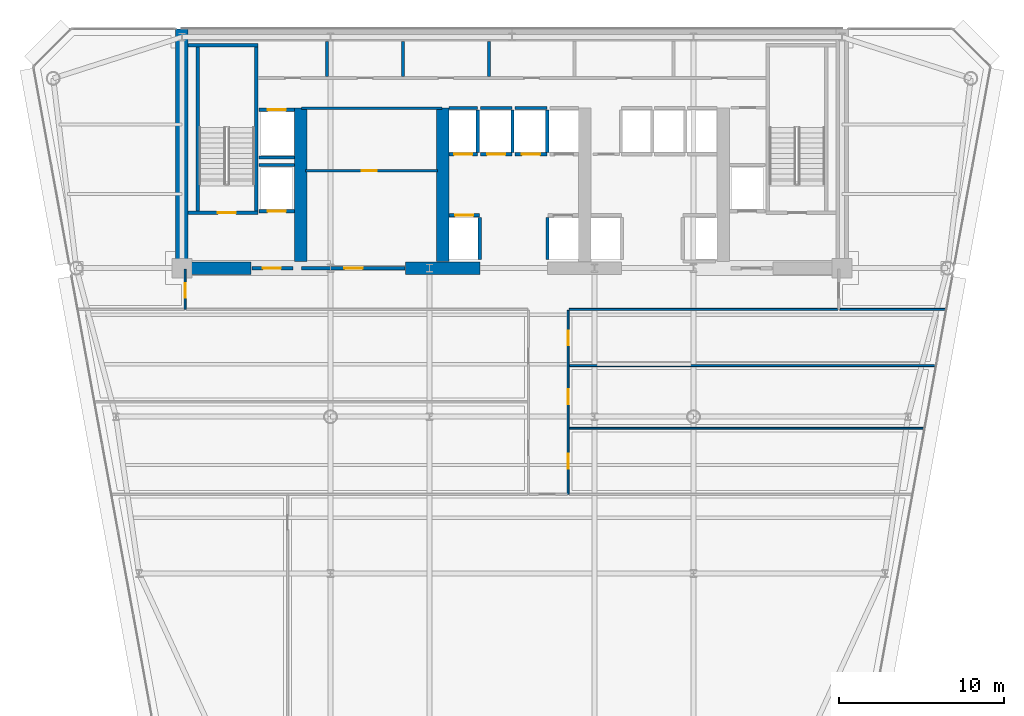
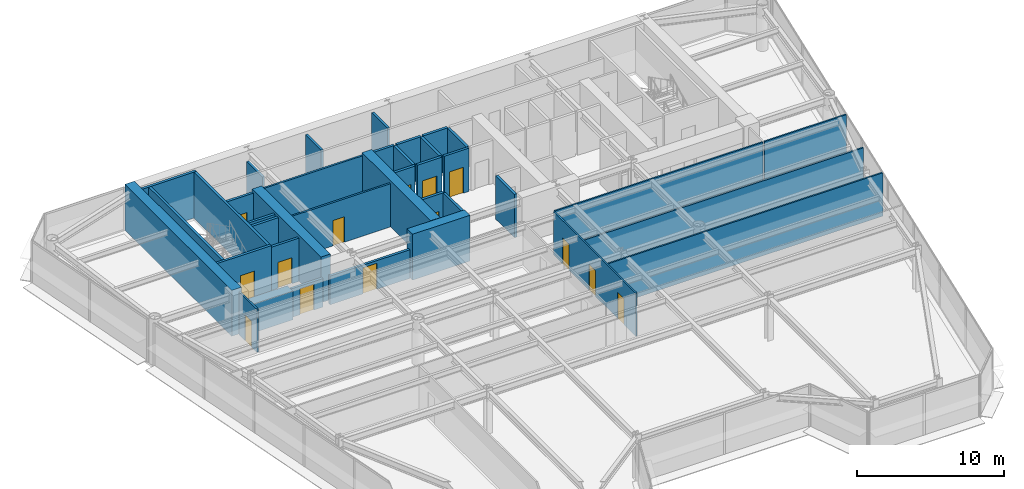
# One storey, part 11 of 17: 38 walls, 14 doors, 14 openings.
"""IFC4 building model written with IfcOpenShell, lengths in metres."""

from ifc_helpers import new_model, si_unit, direction, frame, frame_2d, origin, place, context, subcontext, project, spatial, rectangle, extrude, source, transform, mapped, material, layer, layer_set, type_object, element, fill, save


model = new_model("IFC4")

# Units and contexts
model_context = context("Model", 3, precision=1e-05, world=origin(), true_north=direction((0.0, 1.0)))
body_context = subcontext(model_context, "Body", "Model", "MODEL_VIEW")
ifc_project = project(units=[si_unit("LENGTHUNIT", "METRE"), si_unit("AREAUNIT", "SQUARE_METRE"), si_unit("VOLUMEUNIT", "CUBIC_METRE"), si_unit("PLANEANGLEUNIT", "RADIAN"), si_unit("MASSUNIT", "GRAM", prefix="KILO")], contexts=[model_context])

# Site, building, storey
site_placement = place(None, origin())
site = spatial("IfcSite", under=ifc_project, at=site_placement, CompositionType="ELEMENT")
building_placement = place(site_placement, origin())
building = spatial("IfcBuilding", under=site, at=building_placement, Name="Vaeldorn Concourse Tower", CompositionType="ELEMENT")
storey_placement = place(building_placement, frame((0.0, 0.0, 157.60009765625)))
storey = spatial("IfcBuildingStorey", under=building, at=storey_placement, Name="L40", CompositionType="ELEMENT", Elevation=157.60009765625)

# Walls
ifc_material_1 = material(Name="Concrete C60/75", Category="concrete")
ifc_layer_1 = layer(ifc_material_1, 0.75)
ifc_layer_set_1 = layer_set([ifc_layer_1], Name="Concrete C60/75")
wall_type_1 = type_object("IfcWallType", Name="WL-CORE-750", PredefinedType="SHEAR", material=ifc_layer_set_1)
wall_1_placement = place(storey_placement, frame((14.0, 36.5, 0.0), z_axis=(0.0, 0.0, 1.0), x_axis=(0.0, 1.0, 0.0)))
element("IfcWall", 1, at=wall_1_placement, inside=storey, type_object=wall_type_1, Name="Rear Core Shear Wall L40 W1", PredefinedType="SHEAR", context=body_context, shape_type="SweptSolid", body=[
    extrude(rectangle(XDim=14.5, YDim=0.75, at=frame_2d((7.25, 0.0))), origin(), (0.0, 0.0, 1.0), 3.7998046875),
])
wall_2_placement = place(storey_placement, frame((14.39501953125, 36.5, 0.0), z_axis=(0.0, 0.0, 1.0), x_axis=(1.0, 0.0, 0.0)))
element("IfcWall", 2, at=wall_2_placement, inside=storey, type_object=wall_type_1, Name="Rear Core Shear Wall L40 S1", PredefinedType="SHEAR", context=body_context, shape_type="SweptSolid", body=[
    extrude(rectangle(XDim=3.804931640625, YDim=0.75, at=frame_2d((1.90234375, 0.0))), origin(), (0.0, 0.0, 1.0), 2.3798828125),
])
wall_3_placement = place(storey_placement, frame((27.550048828125, 36.5, 0.0), z_axis=(0.0, 0.0, 1.0), x_axis=(1.0, 0.0, 0.0)))
element("IfcWall", 3, at=wall_3_placement, inside=storey, type_object=wall_type_1, Name="Rear Core Shear Wall L40 S2", PredefinedType="SHEAR", context=body_context, shape_type="SweptSolid", body=[
    extrude(rectangle(XDim=4.5, YDim=0.75, at=frame_2d((2.25, 0.0))), origin(), (0.0, 0.0, 1.0), 3.7998046875),
])
for number, where, z_axis, x_axis, name in (
    (4, (21.199951171875, 36.89501953125, 0.0), (0.0, 0.0, 1.0), (0.0, 1.0, 0.0), "Rear Core Shear Wall L40 M1"),
    (5, (29.800048828125, 36.89501953125, 0.0), (0.0, 0.0, 1.0), (0.0, 1.0, 0.0), "Rear Core Shear Wall L40 M2"),
):
    element("IfcWall", number, at=place(storey_placement, frame(where, z_axis=z_axis, x_axis=x_axis)), inside=storey, type_object=wall_type_1, Name=name, PredefinedType="SHEAR", context=body_context, shape_type="SweptSolid", body=[
        extrude(rectangle(XDim=9.304931640625, YDim=0.75, at=frame_2d((4.65234375, 0.0))), origin(), (0.0, 0.0, 1.0), 3.7998046875),
    ])
ifc_material_2 = material(Name="Gypsum Board Partition", Category="gypsum")
ifc_layer_2 = layer(ifc_material_2, 0.1201171875)
ifc_layer_set_2 = layer_set([ifc_layer_2], Name="Gypsum Board Partition")
wall_type_2 = type_object("IfcWallType", Name="WL-PART-120", PredefinedType="PARTITIONING", material=ifc_layer_set_2)
wall_4_placement = place(storey_placement, frame((37.4599609375, 34.0, 0.0), z_axis=(0.0, 0.0, 1.0), x_axis=(1.0, 0.0, 0.0)))
element("IfcWall", 6, at=wall_4_placement, inside=storey, type_object=wall_type_2, Name="Interior Wall PW-L40-C3SE", PredefinedType="PARTITIONING", context=body_context, shape_type="SweptSolid", body=[
    extrude(rectangle(XDim=16.280029296875, YDim=0.1201171875, at=frame_2d((8.14013671875, 0.0))), origin(), (0.0, 0.0, 1.0), 3.579833984375),
])

# Wall, opening, door
wall_5_placement = place(storey_placement, frame((14.199951171875, 34.0, 0.0), z_axis=(0.0, 0.0, 1.0), x_axis=(0.0, 1.0, 0.0)))
wall_5 = element("IfcWall", 7, at=wall_5_placement, inside=storey, type_object=wall_type_2, Name="Interior Wall PW-L40-C3W", PredefinedType="PARTITIONING", context=body_context, shape_type="SweptSolid", body=[
    extrude(rectangle(XDim=2.43994140625, YDim=0.1201171875, at=frame_2d((1.219970703125, 0.0))), origin(), (0.0, 0.0, 1.0), 3.579833984375),
])
opening_1_placement = place(wall_5_placement, frame((0.699951171875, 0.0, 0.0)))
opening_1 = element("IfcOpeningElement", 8, at=opening_1_placement, cuts=wall_5, Name="Opening D-03", PredefinedType="OPENING", context=body_context, shape_type="SweptSolid", body=[
    extrude(rectangle(XDim=0.89990234375, YDim=2.14990234375, at=frame_2d((0.449951171875, 1.074951171875))), frame((0.0, 0.070068359375, 0.0), z_axis=(0.0, -1.0, 0.0), x_axis=(1.0, 0.0, 0.0)), (0.0, 0.0, 1.0), 0.14013671875),
])
ifc_material_3 = material(Name="Acoustic Bronze-Framed Glass Door", Category="glass")
door_type_1 = type_object("IfcDoorType", Name="DR-INT-900", OperationType="NOTDEFINED", PredefinedType="DOOR", material=ifc_material_3)
shared_shape_1 = source(origin(), body_context, "Body", "SweptSolid", [
    extrude(rectangle(XDim=0.89990234375, YDim=2.14990234375, at=frame_2d((0.449951171875, 1.074951171875))), frame((0.0, 0.02490234375, 0.0), z_axis=(0.0, -1.0, 0.0), x_axis=(1.0, 0.0, 0.0)), (0.0, 0.0, 1.0), 0.050048828125),
])
door_1_placement = place(opening_1_placement, origin())
door_1 = element("IfcDoor", 9, at=door_1_placement, inside=storey, type_object=door_type_1, Name="Interior Door DR-L40-Z3NW", OperationType="SINGLE_SWING_LEFT", OverallHeight=2.14990234375, OverallWidth=0.89990234375, PredefinedType="DOOR", context=body_context, shape_type="MappedRepresentation", body=[
    mapped(shared_shape_1, transform((0.0, 0.0, 0.0), scale=1.0)),
])
fill(opening_1, door_1)

# Wall, openings, doors
wall_6_placement = place(storey_placement, frame((37.39990234375, 22.800048828125, 0.0), z_axis=(0.0, 0.0, 1.0), x_axis=(0.0, 1.0, 0.0)))
wall_6 = element("IfcWall", 10, at=wall_6_placement, inside=storey, type_object=wall_type_2, Name="Interior Wall PW-L40-CSPE", PredefinedType="PARTITIONING", context=body_context, shape_type="SweptSolid", body=[
    extrude(rectangle(XDim=11.139892578125, YDim=0.1201171875, at=frame_2d((5.56982421875, 0.0))), origin(), (0.0, 0.0, 1.0), 3.579833984375),
])
opening_2_placement = place(wall_6_placement, frame((1.550048828125, 0.0, 0.0)))
opening_2 = element("IfcOpeningElement", 11, at=opening_2_placement, cuts=wall_6, Name="Opening D-03", PredefinedType="OPENING", context=body_context, shape_type="SweptSolid", body=[
    extrude(rectangle(XDim=0.89990234375, YDim=2.14990234375, at=frame_2d((0.449951171875, 1.074951171875))), frame((0.0, 0.070068359375, 0.0), z_axis=(0.0, -1.0, 0.0), x_axis=(1.0, 0.0, 0.0)), (0.0, 0.0, 1.0), 0.14013671875),
])
opening_3_placement = place(wall_6_placement, frame((5.449951171875, 0.0, 0.0)))
opening_3 = element("IfcOpeningElement", 12, at=opening_3_placement, cuts=wall_6, Name="Opening D-03", PredefinedType="OPENING", context=body_context, shape_type="SweptSolid", body=[
    extrude(rectangle(XDim=0.89990234375, YDim=2.14990234375, at=frame_2d((0.449951171875, 1.074951171875))), frame((0.0, 0.070068359375, 0.0), z_axis=(0.0, -1.0, 0.0), x_axis=(1.0, 0.0, 0.0)), (0.0, 0.0, 1.0), 0.14013671875),
])
opening_4_placement = place(wall_6_placement, frame((9.02001953125, 0.0, 0.0)))
opening_4 = element("IfcOpeningElement", 13, at=opening_4_placement, cuts=wall_6, Name="Opening D-03", PredefinedType="OPENING", context=body_context, shape_type="SweptSolid", body=[
    extrude(rectangle(XDim=0.89990234375, YDim=2.14990234375, at=frame_2d((0.449951171875, 1.074951171875))), frame((0.0, 0.070068359375, 0.0), z_axis=(0.0, -1.0, 0.0), x_axis=(1.0, 0.0, 0.0)), (0.0, 0.0, 1.0), 0.14013671875),
])
door_2_placement = place(opening_2_placement, origin())
door_2 = element("IfcDoor", 14, at=door_2_placement, inside=storey, type_object=door_type_1, Name="Interior Door DR-L40-Z3E1", OperationType="SINGLE_SWING_RIGHT", OverallHeight=2.14990234375, OverallWidth=0.89990234375, PredefinedType="DOOR", context=body_context, shape_type="MappedRepresentation", body=[
    mapped(shared_shape_1, transform((0.0, 0.0, 0.0), scale=1.0)),
])
fill(opening_2, door_2)
door_3_placement = place(opening_3_placement, origin())
door_3 = element("IfcDoor", 15, at=door_3_placement, inside=storey, type_object=door_type_1, Name="Interior Door DR-L40-Z3E2", OperationType="SINGLE_SWING_LEFT", OverallHeight=2.14990234375, OverallWidth=0.89990234375, PredefinedType="DOOR", context=body_context, shape_type="MappedRepresentation", body=[
    mapped(shared_shape_1, transform((0.0, 0.0, 0.0), scale=1.0)),
])
fill(opening_3, door_3)
door_4_placement = place(opening_4_placement, origin())
door_4 = element("IfcDoor", 16, at=door_4_placement, inside=storey, type_object=door_type_1, Name="Interior Door DR-L40-Z3E3", OperationType="SINGLE_SWING_RIGHT", OverallHeight=2.14990234375, OverallWidth=0.89990234375, PredefinedType="DOOR", context=body_context, shape_type="MappedRepresentation", body=[
    mapped(shared_shape_1, transform((0.0, 0.0, 0.0), scale=1.0)),
])
fill(opening_4, door_4)

# Walls
wall_7_placement = place(storey_placement, frame((53.860107421875, 34.0, 0.0), z_axis=(0.0, 0.0, 1.0), x_axis=(1.0, 0.0, 0.0)))
element("IfcWall", 17, at=wall_7_placement, inside=storey, type_object=wall_type_2, Name="Interior Wall PW-L40-Z3NEB", PredefinedType="PARTITIONING", context=body_context, shape_type="SweptSolid", body=[
    extrude(rectangle(XDim=6.41845703125, YDim=0.1201171875, at=frame_2d((3.209228515625, 0.0))), origin(), (0.0, 0.0, 1.0), 3.579833984375),
])
wall_8_placement = place(storey_placement, frame((37.4599609375, 26.800048828125, 0.0), z_axis=(0.0, 0.0, 1.0), x_axis=(1.0, 0.0, 0.0)))
element("IfcWall", 18, at=wall_8_placement, inside=storey, type_object=wall_type_2, Name="Interior Wall PW-L40-Z3EY1", PredefinedType="PARTITIONING", context=body_context, shape_type="SweptSolid", body=[
    extrude(rectangle(XDim=21.50537109375, YDim=0.1201171875, at=frame_2d((10.752685546875, 0.0))), origin(), (0.0, 0.0, 1.0), 3.579833984375),
])
wall_9_placement = place(storey_placement, frame((37.4599609375, 30.60009765625, 0.0), z_axis=(0.0, 0.0, 1.0), x_axis=(1.0, 0.0, 0.0)))
element("IfcWall", 19, at=wall_9_placement, inside=storey, type_object=wall_type_2, Name="Interior Wall PW-L40-Z3EY2", PredefinedType="PARTITIONING", context=body_context, shape_type="SweptSolid", body=[
    extrude(rectangle(XDim=22.198486328125, YDim=0.1201171875, at=frame_2d((11.09912109375, 0.0))), origin(), (0.0, 0.0, 1.0), 3.119873046875),
])
ifc_layer_3 = layer(ifc_material_2, 0.14990234375)
ifc_layer_set_3 = layer_set([ifc_layer_3], Name="Gypsum Board Partition")
wall_type_3 = type_object("IfcWallType", Name="WL-PART-150", PredefinedType="PARTITIONING", material=ifc_layer_set_3)
wall_10_placement = place(storey_placement, frame((21.25, 46.199951171875, 0.0), z_axis=(0.0, 0.0, 1.0), x_axis=(1.0, 0.0, 0.0)))
element("IfcWall", 20, at=wall_10_placement, inside=storey, type_object=wall_type_3, Name="Interior Wall CW-L40-R1N", PredefinedType="PARTITIONING", context=body_context, shape_type="SweptSolid", body=[
    extrude(rectangle(XDim=8.5, YDim=0.14990234375, at=frame_2d((4.25, 0.0))), origin(), (0.0, 0.0, 1.0), 3.579833984375),
])

# Wall, opening, door
wall_11_placement = place(storey_placement, frame((21.5, 42.39990234375, 0.0), z_axis=(0.0, 0.0, 1.0), x_axis=(1.0, 0.0, 0.0)))
wall_11 = element("IfcWall", 21, at=wall_11_placement, inside=storey, type_object=wall_type_3, Name="Interior Wall CW-L40-R1M", PredefinedType="PARTITIONING", context=body_context, shape_type="SweptSolid", body=[
    extrude(rectangle(XDim=8.0, YDim=0.14990234375, at=frame_2d((4.0, 0.0))), origin(), (0.0, 0.0, 1.0), 3.579833984375),
])
opening_5_placement = place(wall_11_placement, frame((3.39990234375, 0.0, 0.0)))
opening_5 = element("IfcOpeningElement", 22, at=opening_5_placement, cuts=wall_11, Name="Opening D-02", PredefinedType="OPENING", context=body_context, shape_type="SweptSolid", body=[
    extrude(rectangle(XDim=0.89990234375, YDim=2.10009765625, at=frame_2d((0.449951171875, 1.050048828125))), frame((0.0, 0.0849609375, 0.0), z_axis=(0.0, -1.0, 0.0), x_axis=(1.0, 0.0, 0.0)), (0.0, 0.0, 1.0), 0.169921875),
])
ifc_material_4 = material(Name="Fire-Rated Timber Leaf", Category="wood")
door_type_2 = type_object("IfcDoorType", Name="DR-FD30-900", OperationType="NOTDEFINED", PredefinedType="DOOR", material=ifc_material_4)
shared_shape_2 = source(origin(), body_context, "Body", "SweptSolid", [
    extrude(rectangle(XDim=0.89990234375, YDim=2.10009765625, at=frame_2d((0.449951171875, 1.050048828125))), frame((0.0, 0.02490234375, 0.0), z_axis=(0.0, -1.0, 0.0), x_axis=(1.0, 0.0, 0.0)), (0.0, 0.0, 1.0), 0.050048828125),
])
door_5_placement = place(opening_5_placement, origin())
door_5 = element("IfcDoor", 23, at=door_5_placement, inside=storey, type_object=door_type_2, Name="Interior Door DR-L40-R1M", OperationType="SINGLE_SWING_RIGHT", OverallHeight=2.10009765625, OverallWidth=0.89990234375, PredefinedType="DOOR", context=body_context, shape_type="MappedRepresentation", body=[
    mapped(shared_shape_2, transform((0.0, 0.0, 0.0), scale=1.0)),
])
fill(opening_5, door_5)

# Walls
ifc_layer_4 = layer(ifc_material_2, 0.179931640625)
ifc_layer_set_4 = layer_set([ifc_layer_4], Name="Gypsum Board Partition")
wall_type_4 = type_object("IfcWallType", Name="WL-PLUMB-180", PredefinedType="PLUMBINGWALL", material=ifc_layer_set_4)
wall_12_placement = place(storey_placement, frame((22.800048828125, 48.10009765625, 0.0), z_axis=(0.0, 0.0, 1.0), x_axis=(0.0, 1.0, 0.0)))
element("IfcWall", 24, at=wall_12_placement, inside=storey, type_object=wall_type_4, Name="Interior Wall CW-L40-NDIV1", PredefinedType="PLUMBINGWALL", context=body_context, shape_type="SweptSolid", body=[
    extrude(rectangle(XDim=2.1298828125, YDim=0.179931640625, at=frame_2d((1.06494140625, 0.0))), origin(), (0.0, 0.0, 1.0), 2.969970703125),
])
for number, where, z_axis, x_axis, name in (
    (25, (27.39990234375, 48.10009765625, 0.0), (0.0, 0.0, 1.0), (0.0, 1.0, 0.0), "Interior Wall CW-L40-NDIV2"),
    (26, (32.60009765625, 48.10009765625, 0.0), (0.0, 0.0, 1.0), (0.0, 1.0, 0.0), "Interior Wall CW-L40-NDIV3"),
):
    element("IfcWall", number, at=place(storey_placement, frame(where, z_axis=z_axis, x_axis=x_axis)), inside=storey, type_object=wall_type_4, Name=name, PredefinedType="PLUMBINGWALL", context=body_context, shape_type="SweptSolid", body=[
        extrude(rectangle(XDim=2.1298828125, YDim=0.179931640625, at=frame_2d((1.06494140625, 0.0))), origin(), (0.0, 0.0, 1.0), 3.579833984375),
    ])

# Wall, opening, door
ifc_material_5 = material(Name="Concrete C50/60", Category="concrete")
ifc_layer_5 = layer(ifc_material_5, 0.199951171875)
ifc_layer_set_5 = layer_set([ifc_layer_5], Name="Concrete C50/60")
wall_type_5 = type_object("IfcWallType", Name="WL-SHAFT-200", PredefinedType="SOLIDWALL", material=ifc_layer_set_5)
wall_13_placement = place(storey_placement, frame((14.375, 39.85009765625, 0.0), z_axis=(0.0, 0.0, 1.0), x_axis=(1.0, 0.0, 0.0)))
wall_13 = element("IfcWall", 27, at=wall_13_placement, inside=storey, type_object=wall_type_5, Name="Stair Shaft Wall CW-L40-ST-1-S", PredefinedType="SOLIDWALL", context=body_context, shape_type="SweptSolid", body=[
    extrude(rectangle(XDim=4.22509765625, YDim=0.199951171875, at=frame_2d((2.112548828125, 0.0))), origin(), (0.0, 0.0, 1.0), 3.7998046875),
])
opening_6_placement = place(wall_13_placement, frame((1.800048828125, 0.0, 0.0)))
opening_6 = element("IfcOpeningElement", 28, at=opening_6_placement, cuts=wall_13, Name="Opening D-01", PredefinedType="OPENING", context=body_context, shape_type="SweptSolid", body=[
    extrude(rectangle(XDim=1.10009765625, YDim=2.14990234375, at=frame_2d((0.550048828125, 1.074951171875))), frame((0.0, 0.10986328125, 0.0), z_axis=(0.0, -1.0, 0.0), x_axis=(1.0, 0.0, 0.0)), (0.0, 0.0, 1.0), 0.219970703125),
])
ifc_material_6 = material(Name="Fire-Rated Timber and Steel Leaf", Category="steel")
door_type_3 = type_object("IfcDoorType", Name="DR-FD60-1100", OperationType="NOTDEFINED", PredefinedType="DOOR", material=ifc_material_6)
shared_shape_3 = source(origin(), body_context, "Body", "SweptSolid", [
    extrude(rectangle(XDim=1.10009765625, YDim=2.14990234375, at=frame_2d((0.550048828125, 1.074951171875))), frame((0.0, 0.02490234375, 0.0), z_axis=(0.0, -1.0, 0.0), x_axis=(1.0, 0.0, 0.0)), (0.0, 0.0, 1.0), 0.050048828125),
])
door_6_placement = place(opening_6_placement, origin())
door_6 = element("IfcDoor", 29, at=door_6_placement, inside=storey, type_object=door_type_3, Name="Interior Door DR-L40-ST-1", OperationType="SINGLE_SWING_LEFT", OverallHeight=2.14990234375, OverallWidth=1.10009765625, PredefinedType="DOOR", context=body_context, shape_type="MappedRepresentation", body=[
    mapped(shared_shape_3, transform((0.0, 0.0, 0.0), scale=1.0)),
])
fill(opening_6, door_6)

# Walls
wall_14_placement = place(storey_placement, frame((14.375, 50.0, 0.0), z_axis=(0.0, 0.0, 1.0), x_axis=(1.0, 0.0, 0.0)))
element("IfcWall", 30, at=wall_14_placement, inside=storey, type_object=wall_type_5, Name="Stair Shaft Wall CW-L40-ST-1-N", PredefinedType="SOLIDWALL", context=body_context, shape_type="SweptSolid", body=[
    extrude(rectangle(XDim=4.22509765625, YDim=0.199951171875, at=frame_2d((2.112548828125, 0.0))), origin(), (0.0, 0.0, 1.0), 3.7998046875),
])
for number, where, z_axis, x_axis, name in (
    (31, (14.949951171875, 39.9599609375, 0.0), (0.0, 0.0, 1.0), (0.0, 1.0, 0.0), "Stair Shaft Wall CW-L40-ST-1-W"),
    (32, (18.5, 39.9599609375, 0.0), (0.0, 0.0, 1.0), (0.0, 1.0, 0.0), "Stair Shaft Wall CW-L40-ST-1-E"),
):
    element("IfcWall", number, at=place(storey_placement, frame(where, z_axis=z_axis, x_axis=x_axis)), inside=storey, type_object=wall_type_5, Name=name, PredefinedType="SOLIDWALL", context=body_context, shape_type="SweptSolid", body=[
        extrude(rectangle(XDim=9.929931640625, YDim=0.199951171875, at=frame_2d((4.96484375, 0.0))), origin(), (0.0, 0.0, 1.0), 3.7998046875),
    ])

# Wall, opening, door
wall_15_placement = place(storey_placement, frame((18.25, 36.5, 0.0), z_axis=(0.0, 0.0, 1.0), x_axis=(1.0, 0.0, 0.0)))
wall_15 = element("IfcWall", 33, at=wall_15_placement, inside=storey, type_object=wall_type_5, Name="Interior Wall CW-L40-FF1S", PredefinedType="SOLIDWALL", context=body_context, shape_type="SweptSolid", body=[
    extrude(rectangle(XDim=2.469970703125, YDim=0.199951171875, at=frame_2d((1.23486328125, 0.0))), origin(), (0.0, 0.0, 1.0), 2.369873046875),
])
opening_7_placement = place(wall_15_placement, frame((0.64990234375, 0.0, 0.0)))
opening_7 = element("IfcOpeningElement", 34, at=opening_7_placement, cuts=wall_15, Name="Opening D-01", PredefinedType="OPENING", context=body_context, shape_type="SweptSolid", body=[
    extrude(rectangle(XDim=1.10009765625, YDim=2.14990234375, at=frame_2d((0.550048828125, 1.074951171875))), frame((0.0, 0.10986328125, 0.0), z_axis=(0.0, -1.0, 0.0), x_axis=(1.0, 0.0, 0.0)), (0.0, 0.0, 1.0), 0.219970703125),
])
door_7_placement = place(opening_7_placement, origin())
door_7 = element("IfcDoor", 35, at=door_7_placement, inside=storey, type_object=door_type_3, Name="Interior Door DR-L40-FF1E", OperationType="SINGLE_SWING_RIGHT", OverallHeight=2.14990234375, OverallWidth=1.10009765625, PredefinedType="DOOR", context=body_context, shape_type="MappedRepresentation", body=[
    mapped(shared_shape_3, transform((0.0, 0.0, 0.0), scale=1.0)),
])
fill(opening_7, door_7)

wall_16_placement = place(storey_placement, frame((30.18505859375, 39.699951171875, 0.0), z_axis=(0.0, 0.0, 1.0), x_axis=(1.0, 0.0, 0.0)))
wall_16 = element("IfcWall", 36, at=wall_16_placement, inside=storey, type_object=wall_type_5, Name="Interior Wall CW-L40-LF-LF-07", PredefinedType="SOLIDWALL", context=body_context, shape_type="SweptSolid", body=[
    extrude(rectangle(XDim=1.844970703125, YDim=0.199951171875, at=frame_2d((0.92236328125, 0.0))), origin(), (0.0, 0.0, 1.0), 3.579833984375),
])
opening_8_placement = place(wall_16_placement, frame((0.373046875, 0.0, 0.0)))
opening_8 = element("IfcOpeningElement", 37, at=opening_8_placement, cuts=wall_16, Name="Opening LD-1", PredefinedType="OPENING", context=body_context, shape_type="SweptSolid", body=[
    extrude(rectangle(XDim=1.10009765625, YDim=2.14990234375, at=frame_2d((0.550048828125, 1.074951171875))), frame((0.0, 0.10986328125, 0.0), z_axis=(0.0, -1.0, 0.0), x_axis=(1.0, 0.0, 0.0)), (0.0, 0.0, 1.0), 0.219970703125),
])
ifc_material_7 = material(Name="Anodised Bronze Aluminium", Category="aluminium")
door_type_4 = type_object("IfcDoorType", Name="DR-LIFT-SLIDE-1100", OperationType="DOUBLE_DOOR_SLIDING", PredefinedType="DOOR", material=ifc_material_7)
door_8_placement = place(opening_8_placement, origin())
door_8 = element("IfcDoor", 38, at=door_8_placement, inside=storey, type_object=door_type_4, Name="Lift Landing Door LD-L40-LF-07", OperationType="DOUBLE_DOOR_SLIDING", OverallHeight=2.14990234375, OverallWidth=1.10009765625, PredefinedType="DOOR", context=body_context, shape_type="MappedRepresentation", body=[
    mapped(shared_shape_3, transform((0.0, 0.0, 0.0), scale=1.0)),
])
fill(opening_8, door_8)

# Walls
for number, where, z_axis, x_axis, name in (
    (39, (32.050048828125, 37.02001953125, 0.0), (0.0, 0.0, 1.0), (0.0, 1.0, 0.0), "Interior Wall CW-L40-LFE-LF-07"),
    (40, (36.14990234375, 37.02001953125, 0.0), (0.0, 0.0, 1.0), (0.0, 1.0, 0.0), "Interior Wall CW-L40-LFW-LF-08"),
):
    element("IfcWall", number, at=place(storey_placement, frame(where, z_axis=z_axis, x_axis=x_axis)), inside=storey, type_object=wall_type_5, Name=name, PredefinedType="SOLIDWALL", context=body_context, shape_type="SweptSolid", body=[
        extrude(rectangle(XDim=2.56005859375, YDim=0.199951171875, at=frame_2d((1.280029296875, 0.0))), origin(), (0.0, 0.0, 1.0), 3.579833984375),
    ])

# Wall, opening, door
wall_17_placement = place(storey_placement, frame((30.18505859375, 43.39990234375, 0.0), z_axis=(0.0, 0.0, 1.0), x_axis=(1.0, 0.0, 0.0)))
wall_17 = element("IfcWall", 41, at=wall_17_placement, inside=storey, type_object=wall_type_5, Name="Interior Wall CW-L40-LF-LF-09", PredefinedType="SOLIDWALL", context=body_context, shape_type="SweptSolid", body=[
    extrude(rectangle(XDim=1.724853515625, YDim=0.199951171875, at=frame_2d((0.8623046875, 0.0))), origin(), (0.0, 0.0, 1.0), 3.579833984375),
])
opening_9_placement = place(wall_17_placement, frame((0.31298828125, 0.0, 0.0)))
opening_9 = element("IfcOpeningElement", 42, at=opening_9_placement, cuts=wall_17, Name="Opening LD-1", PredefinedType="OPENING", context=body_context, shape_type="SweptSolid", body=[
    extrude(rectangle(XDim=1.10009765625, YDim=2.14990234375, at=frame_2d((0.550048828125, 1.074951171875))), frame((0.0, 0.10986328125, 0.0), z_axis=(0.0, -1.0, 0.0), x_axis=(1.0, 0.0, 0.0)), (0.0, 0.0, 1.0), 0.219970703125),
])
door_9_placement = place(opening_9_placement, origin())
door_9 = element("IfcDoor", 43, at=door_9_placement, inside=storey, type_object=door_type_4, Name="Lift Landing Door LD-L40-LF-09", OperationType="DOUBLE_DOOR_SLIDING", OverallHeight=2.14990234375, OverallWidth=1.10009765625, PredefinedType="DOOR", context=body_context, shape_type="MappedRepresentation", body=[
    mapped(shared_shape_3, transform((0.0, 0.0, 0.0), scale=1.0)),
])
fill(opening_9, door_9)

# Walls
wall_18_placement = place(storey_placement, frame((30.18505859375, 46.199951171875, 0.0), z_axis=(0.0, 0.0, 1.0), x_axis=(1.0, 0.0, 0.0)))
element("IfcWall", 44, at=wall_18_placement, inside=storey, type_object=wall_type_5, Name="Interior Wall CW-L40-LFB-LF-09", PredefinedType="SOLIDWALL", context=body_context, shape_type="SweptSolid", body=[
    extrude(rectangle(XDim=1.724853515625, YDim=0.199951171875, at=frame_2d((0.8623046875, 0.0))), origin(), (0.0, 0.0, 1.0), 3.579833984375),
])
wall_19_placement = place(storey_placement, frame((31.929931640625, 43.52001953125, 0.0), z_axis=(0.0, 0.0, 1.0), x_axis=(0.0, 1.0, 0.0)))
element("IfcWall", 45, at=wall_19_placement, inside=storey, type_object=wall_type_5, Name="Interior Wall CW-L40-LFE-LF-09", PredefinedType="SOLIDWALL", context=body_context, shape_type="SweptSolid", body=[
    extrude(rectangle(XDim=2.56005859375, YDim=0.199951171875, at=frame_2d((1.280029296875, 0.0))), origin(), (0.0, 0.0, 1.0), 3.579833984375),
])

# Wall, opening, door
wall_20_placement = place(storey_placement, frame((32.090087890625, 43.39990234375, 0.0), z_axis=(0.0, 0.0, 1.0), x_axis=(1.0, 0.0, 0.0)))
wall_20 = element("IfcWall", 46, at=wall_20_placement, inside=storey, type_object=wall_type_5, Name="Interior Wall CW-L40-LF-LF-10", PredefinedType="SOLIDWALL", context=body_context, shape_type="SweptSolid", body=[
    extrude(rectangle(XDim=1.919921875, YDim=0.199951171875, at=frame_2d((0.9599609375, 0.0))), origin(), (0.0, 0.0, 1.0), 3.579833984375),
])
opening_10_placement = place(wall_20_placement, frame((0.409912109375, 0.0, 0.0)))
opening_10 = element("IfcOpeningElement", 47, at=opening_10_placement, cuts=wall_20, Name="Opening LD-1", PredefinedType="OPENING", context=body_context, shape_type="SweptSolid", body=[
    extrude(rectangle(XDim=1.10009765625, YDim=2.14990234375, at=frame_2d((0.550048828125, 1.074951171875))), frame((0.0, 0.10986328125, 0.0), z_axis=(0.0, -1.0, 0.0), x_axis=(1.0, 0.0, 0.0)), (0.0, 0.0, 1.0), 0.219970703125),
])
door_10_placement = place(opening_10_placement, origin())
door_10 = element("IfcDoor", 48, at=door_10_placement, inside=storey, type_object=door_type_4, Name="Lift Landing Door LD-L40-LF-10", OperationType="DOUBLE_DOOR_SLIDING", OverallHeight=2.14990234375, OverallWidth=1.10009765625, PredefinedType="DOOR", context=body_context, shape_type="MappedRepresentation", body=[
    mapped(shared_shape_3, transform((0.0, 0.0, 0.0), scale=1.0)),
])
fill(opening_10, door_10)

# Walls
wall_21_placement = place(storey_placement, frame((32.090087890625, 46.199951171875, 0.0), z_axis=(0.0, 0.0, 1.0), x_axis=(1.0, 0.0, 0.0)))
element("IfcWall", 49, at=wall_21_placement, inside=storey, type_object=wall_type_5, Name="Interior Wall CW-L40-LFB-LF-10", PredefinedType="SOLIDWALL", context=body_context, shape_type="SweptSolid", body=[
    extrude(rectangle(XDim=1.919921875, YDim=0.199951171875, at=frame_2d((0.9599609375, 0.0))), origin(), (0.0, 0.0, 1.0), 3.579833984375),
])
wall_22_placement = place(storey_placement, frame((34.030029296875, 43.52001953125, 0.0), z_axis=(0.0, 0.0, 1.0), x_axis=(0.0, 1.0, 0.0)))
element("IfcWall", 50, at=wall_22_placement, inside=storey, type_object=wall_type_5, Name="Interior Wall CW-L40-LFE-LF-10", PredefinedType="SOLIDWALL", context=body_context, shape_type="SweptSolid", body=[
    extrude(rectangle(XDim=2.56005859375, YDim=0.199951171875, at=frame_2d((1.280029296875, 0.0))), origin(), (0.0, 0.0, 1.0), 3.579833984375),
])

# Wall, opening, door
wall_23_placement = place(storey_placement, frame((34.18994140625, 43.39990234375, 0.0), z_axis=(0.0, 0.0, 1.0), x_axis=(1.0, 0.0, 0.0)))
wall_23 = element("IfcWall", 51, at=wall_23_placement, inside=storey, type_object=wall_type_5, Name="Interior Wall CW-L40-LF-LF-11", PredefinedType="SOLIDWALL", context=body_context, shape_type="SweptSolid", body=[
    extrude(rectangle(XDim=1.920166015625, YDim=0.199951171875, at=frame_2d((0.9599609375, 0.0))), origin(), (0.0, 0.0, 1.0), 3.579833984375),
])
opening_11_placement = place(wall_23_placement, frame((0.409912109375, 0.0, 0.0)))
opening_11 = element("IfcOpeningElement", 52, at=opening_11_placement, cuts=wall_23, Name="Opening LD-1", PredefinedType="OPENING", context=body_context, shape_type="SweptSolid", body=[
    extrude(rectangle(XDim=1.10009765625, YDim=2.14990234375, at=frame_2d((0.550048828125, 1.074951171875))), frame((0.0, 0.10986328125, 0.0), z_axis=(0.0, -1.0, 0.0), x_axis=(1.0, 0.0, 0.0)), (0.0, 0.0, 1.0), 0.219970703125),
])
door_11_placement = place(opening_11_placement, origin())
door_11 = element("IfcDoor", 53, at=door_11_placement, inside=storey, type_object=door_type_4, Name="Lift Landing Door LD-L40-LF-11", OperationType="DOUBLE_DOOR_SLIDING", OverallHeight=2.14990234375, OverallWidth=1.10009765625, PredefinedType="DOOR", context=body_context, shape_type="MappedRepresentation", body=[
    mapped(shared_shape_3, transform((0.0, 0.0, 0.0), scale=1.0)),
])
fill(opening_11, door_11)

# Walls
wall_24_placement = place(storey_placement, frame((34.18994140625, 46.199951171875, 0.0), z_axis=(0.0, 0.0, 1.0), x_axis=(1.0, 0.0, 0.0)))
element("IfcWall", 54, at=wall_24_placement, inside=storey, type_object=wall_type_5, Name="Interior Wall CW-L40-LFB-LF-11", PredefinedType="SOLIDWALL", context=body_context, shape_type="SweptSolid", body=[
    extrude(rectangle(XDim=1.920166015625, YDim=0.199951171875, at=frame_2d((0.9599609375, 0.0))), origin(), (0.0, 0.0, 1.0), 3.579833984375),
])
wall_25_placement = place(storey_placement, frame((36.1298828125, 43.52001953125, 0.0), z_axis=(0.0, 0.0, 1.0), x_axis=(0.0, 1.0, 0.0)))
element("IfcWall", 55, at=wall_25_placement, inside=storey, type_object=wall_type_5, Name="Interior Wall CW-L40-LFE-LF-11", PredefinedType="SOLIDWALL", context=body_context, shape_type="SweptSolid", body=[
    extrude(rectangle(XDim=2.56005859375, YDim=0.199951171875, at=frame_2d((1.280029296875, 0.0))), origin(), (0.0, 0.0, 1.0), 3.579833984375),
])

# Wall, opening, door
wall_26_placement = place(storey_placement, frame((18.669921875, 46.10009765625, 0.0), z_axis=(0.0, 0.0, 1.0), x_axis=(1.0, 0.0, 0.0)))
wall_26 = element("IfcWall", 56, at=wall_26_placement, inside=storey, type_object=wall_type_5, Name="Interior Wall CW-L40-LF-LF-SV1", PredefinedType="SOLIDWALL", context=body_context, shape_type="SweptSolid", body=[
    extrude(rectangle(XDim=2.14501953125, YDim=0.199951171875, at=frame_2d((1.072509765625, 0.0))), origin(), (0.0, 0.0, 1.0), 3.579833984375),
])
opening_12_placement = place(wall_26_placement, frame((0.52197265625, 0.0, 0.0)))
opening_12 = element("IfcOpeningElement", 57, at=opening_12_placement, cuts=wall_26, Name="Opening LD-1", PredefinedType="OPENING", context=body_context, shape_type="SweptSolid", body=[
    extrude(rectangle(XDim=1.10009765625, YDim=2.14990234375, at=frame_2d((0.550048828125, 1.074951171875))), frame((0.0, 0.10986328125, 0.0), z_axis=(0.0, -1.0, 0.0), x_axis=(1.0, 0.0, 0.0)), (0.0, 0.0, 1.0), 0.219970703125),
])
door_12_placement = place(opening_12_placement, origin())
door_12 = element("IfcDoor", 58, at=door_12_placement, inside=storey, type_object=door_type_4, Name="Lift Landing Door LD-L40-LF-SV1", OperationType="DOUBLE_DOOR_SLIDING", OverallHeight=2.14990234375, OverallWidth=1.10009765625, PredefinedType="DOOR", context=body_context, shape_type="MappedRepresentation", body=[
    mapped(shared_shape_3, transform((0.0, 0.0, 0.0), scale=1.0)),
])
fill(opening_12, door_12)

# Wall
wall_27_placement = place(storey_placement, frame((18.669921875, 43.199951171875, 0.0), z_axis=(0.0, 0.0, 1.0), x_axis=(1.0, 0.0, 0.0)))
element("IfcWall", 59, at=wall_27_placement, inside=storey, type_object=wall_type_5, Name="Interior Wall CW-L40-LFB-LF-SV1", PredefinedType="SOLIDWALL", context=body_context, shape_type="SweptSolid", body=[
    extrude(rectangle(XDim=2.14501953125, YDim=0.199951171875, at=frame_2d((1.072509765625, 0.0))), origin(), (0.0, 0.0, 1.0), 3.579833984375),
])

# Wall, opening, door
wall_28_placement = place(storey_placement, frame((18.669921875, 39.949951171875, 0.0), z_axis=(0.0, 0.0, 1.0), x_axis=(1.0, 0.0, 0.0)))
wall_28 = element("IfcWall", 60, at=wall_28_placement, inside=storey, type_object=wall_type_5, Name="Interior Wall CW-L40-LF-LF-FF1", PredefinedType="SOLIDWALL", context=body_context, shape_type="SweptSolid", body=[
    extrude(rectangle(XDim=2.14501953125, YDim=0.199951171875, at=frame_2d((1.072509765625, 0.0))), origin(), (0.0, 0.0, 1.0), 3.579833984375),
])
opening_13_placement = place(wall_28_placement, frame((0.52197265625, 0.0, 0.0)))
opening_13 = element("IfcOpeningElement", 61, at=opening_13_placement, cuts=wall_28, Name="Opening LD-1", PredefinedType="OPENING", context=body_context, shape_type="SweptSolid", body=[
    extrude(rectangle(XDim=1.10009765625, YDim=2.14990234375, at=frame_2d((0.550048828125, 1.074951171875))), frame((0.0, 0.10986328125, 0.0), z_axis=(0.0, -1.0, 0.0), x_axis=(1.0, 0.0, 0.0)), (0.0, 0.0, 1.0), 0.219970703125),
])
door_13_placement = place(opening_13_placement, origin())
door_13 = element("IfcDoor", 62, at=door_13_placement, inside=storey, type_object=door_type_4, Name="Lift Landing Door LD-L40-LF-FF1", OperationType="DOUBLE_DOOR_SLIDING", OverallHeight=2.14990234375, OverallWidth=1.10009765625, PredefinedType="DOOR", context=body_context, shape_type="MappedRepresentation", body=[
    mapped(shared_shape_3, transform((0.0, 0.0, 0.0), scale=1.0)),
])
fill(opening_13, door_13)

# Wall
wall_29_placement = place(storey_placement, frame((18.669921875, 42.75, 0.0), z_axis=(0.0, 0.0, 1.0), x_axis=(1.0, 0.0, 0.0)))
element("IfcWall", 63, at=wall_29_placement, inside=storey, type_object=wall_type_5, Name="Interior Wall CW-L40-LFB-LF-FF1", PredefinedType="SOLIDWALL", context=body_context, shape_type="SweptSolid", body=[
    extrude(rectangle(XDim=2.14501953125, YDim=0.199951171875, at=frame_2d((1.072509765625, 0.0))), origin(), (0.0, 0.0, 1.0), 3.579833984375),
])

# Wall, opening, door
wall_30_placement = place(storey_placement, frame((21.25, 36.5, 0.0), z_axis=(0.0, 0.0, 1.0), x_axis=(1.0, 0.0, 0.0)))
wall_30 = element("IfcWall", 64, at=wall_30_placement, inside=storey, type_object=wall_type_5, Name="Interior Wall CW-L40-R1S", PredefinedType="SOLIDWALL", context=body_context, shape_type="SweptSolid", body=[
    extrude(rectangle(XDim=6.27001953125, YDim=0.199951171875, at=frame_2d((3.135009765625, 0.0))), origin(), (0.0, 0.0, 1.0), 2.369873046875),
])
opening_14_placement = place(wall_30_placement, frame((2.60009765625, 0.0, 0.0)))
opening_14 = element("IfcOpeningElement", 65, at=opening_14_placement, cuts=wall_30, Name="Opening D-01", PredefinedType="OPENING", context=body_context, shape_type="SweptSolid", body=[
    extrude(rectangle(XDim=1.10009765625, YDim=2.14990234375, at=frame_2d((0.550048828125, 1.074951171875))), frame((0.0, 0.10986328125, 0.0), z_axis=(0.0, -1.0, 0.0), x_axis=(1.0, 0.0, 0.0)), (0.0, 0.0, 1.0), 0.219970703125),
])
door_14_placement = place(opening_14_placement, origin())
door_14 = element("IfcDoor", 66, at=door_14_placement, inside=storey, type_object=door_type_3, Name="Interior Door DR-L40-R1S", OperationType="SINGLE_SWING_LEFT", OverallHeight=2.14990234375, OverallWidth=1.10009765625, PredefinedType="DOOR", context=body_context, shape_type="MappedRepresentation", body=[
    mapped(shared_shape_3, transform((0.0, 0.0, 0.0), scale=1.0)),
])
fill(opening_14, door_14)

save(model, "model.ifc")
